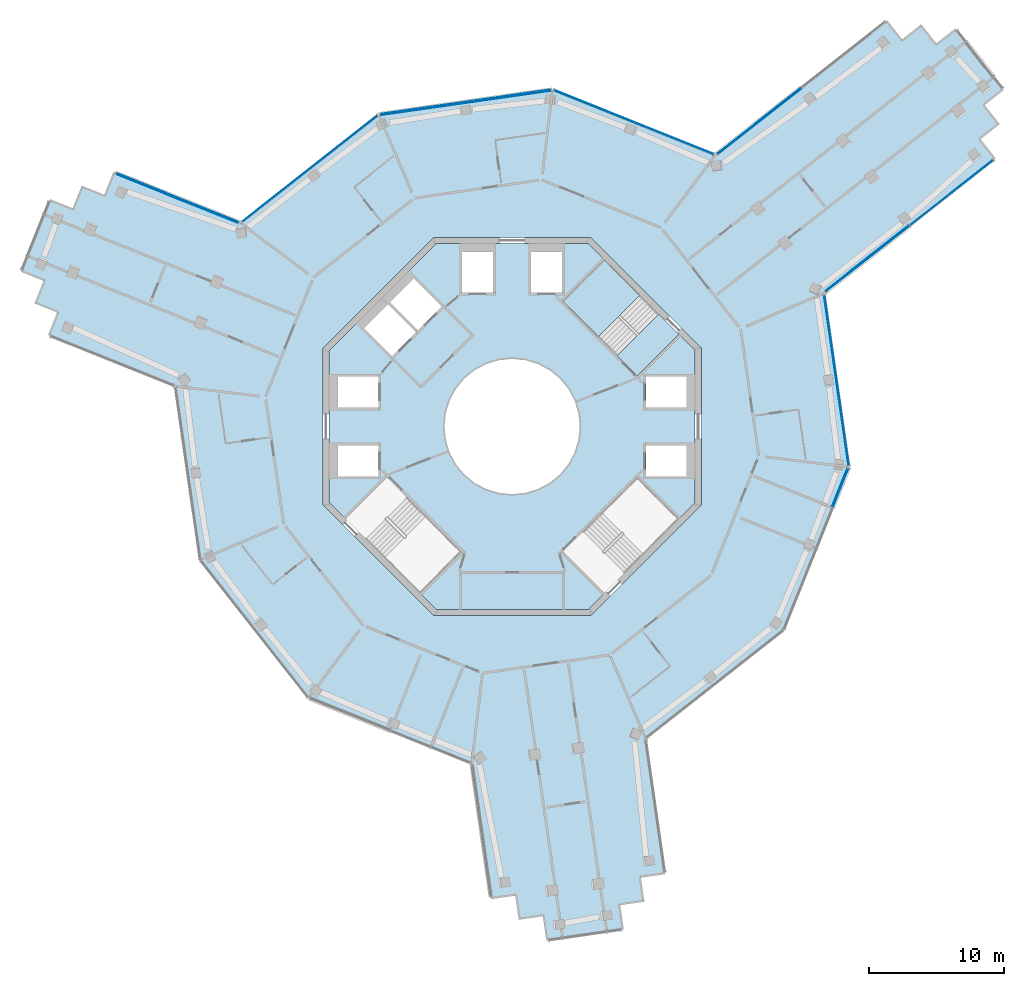
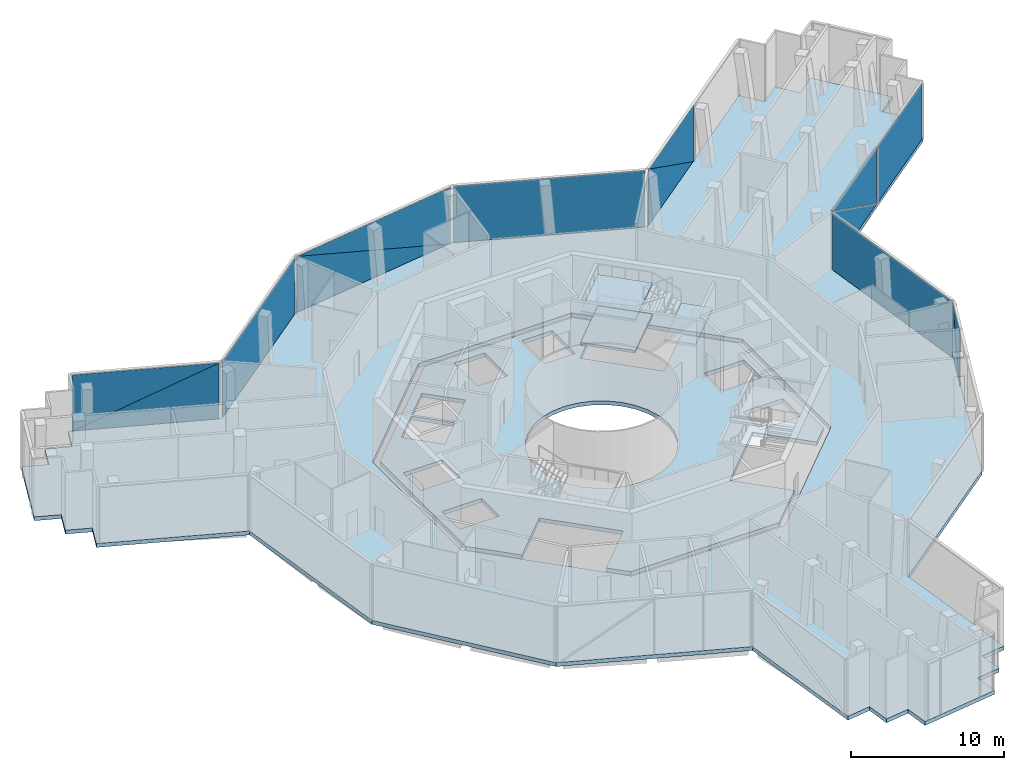
# One storey, part 8 of 19: 14 plates, 5 slabs, 9 elements without a shape of their own.
"""IFC4 building model written with IfcOpenShell, lengths in metres."""

import ifcopenshell
import ifcopenshell.guid

model = None  # the IFC model being written
_history = None  # IfcOwnerHistory: only IFC2X3 demands one
_inside = {}  # id of a spatial element -> (the spatial element, [elements in it])
_under = {}  # id of a project, library or spatial element -> (it, [spatial elements below it])
_declared = {}  # id of a project -> (the project, [libraries it declares])
_typed = {}  # id of a type object -> (the type object, [elements of that type])
_made_of = {}  # id of a material, layer set ... -> (it, [elements and type objects made of it])


def new_model(schema):
    """Start an empty IFC model of exactly this schema.

    Asked for "IFC4X3", IfcOpenShell would pick the latest addendum, in which some entities
    have other attributes; the version numbers below select the first issue.
    IFC2X3 requires an IfcOwnerHistory on every rooted entity: one is made here for all.
    """
    global model, _history
    if schema == "IFC4X3":
        model = ifcopenshell.file(schema_version=(4, 3, 0, 0))
    else:
        model = ifcopenshell.file(schema=schema)
    _inside.clear()
    _under.clear()
    _declared.clear()
    _typed.clear()
    _made_of.clear()
    _history = None
    if model.schema == "IFC2X3":
        org = make("IfcOrganization", Name="unknown")
        user = make(
            "IfcPersonAndOrganization",
            ThePerson=make("IfcPerson", FamilyName="unknown"),
            TheOrganization=org,
        )
        app = make(
            "IfcApplication",
            ApplicationDeveloper=org,
            Version="unknown",
            ApplicationFullName="unknown",
            ApplicationIdentifier="unknown",
        )
        _history = make(
            "IfcOwnerHistory",
            OwningUser=user,
            OwningApplication=app,
            ChangeAction="ADDED",
            CreationDate=0,
        )
    return model


def make(cls, **values):
    """One entity of the class cls with the attributes given. An attribute that is None is left unset."""
    return model.create_entity(
        cls, **{name: value for name, value in values.items() if value is not None}
    )


def rooted(cls, **values):
    """An entity with a GlobalId (a new one), such as an element, a storey or a relation."""
    return make(cls, GlobalId=ifcopenshell.guid.new(), OwnerHistory=_history, **values)


def si_unit(unit_type, name, prefix=None):
    """IfcSIUnit, for example si_unit("LENGTHUNIT", "METRE", prefix="MILLI")."""
    return make("IfcSIUnit", UnitType=unit_type, Prefix=prefix, Name=name)


def assignment(units):
    """IfcUnitAssignment: the units of a project."""
    return None if units is None else make("IfcUnitAssignment", Units=units)


def point(xyz):
    """IfcCartesianPoint."""
    return None if xyz is None else make("IfcCartesianPoint", Coordinates=xyz)


def direction(xyz):
    """IfcDirection."""
    return None if xyz is None else make("IfcDirection", DirectionRatios=xyz)


def frame(location, z_axis=None, x_axis=None):
    """IfcAxis2Placement3D, a coordinate frame: its origin and axes. An axis left out is left unset."""
    return make(
        "IfcAxis2Placement3D",
        Location=point(location),
        Axis=direction(z_axis),
        RefDirection=direction(x_axis),
    )


def frame_2d(location, x_axis=None):
    """IfcAxis2Placement2D, a coordinate frame in the plane: its origin and x axis."""
    return make(
        "IfcAxis2Placement2D", Location=point(location), RefDirection=direction(x_axis)
    )


def origin():
    """The frame at (0, 0, 0) with its axes left unset."""
    return frame((0.0, 0.0, 0.0))


def origin_2d():
    """The frame at (0, 0) in the plane with its x axis left unset."""
    return frame_2d((0.0, 0.0))


def place(relative_to, where):
    """IfcLocalPlacement: puts the frame where relative to a parent placement (None: the world)."""
    return make(
        "IfcLocalPlacement", PlacementRelTo=relative_to, RelativePlacement=where
    )


def context(
    kind, dimensions, precision=None, world=None, true_north=None, identifier=None
):
    """IfcGeometricRepresentationContext, for example the 3D "Model" context."""
    return make(
        "IfcGeometricRepresentationContext",
        ContextIdentifier=identifier,
        ContextType=kind,
        CoordinateSpaceDimension=dimensions,
        Precision=precision,
        WorldCoordinateSystem=world,
        TrueNorth=true_north,
    )


def subcontext(parent, identifier, kind, view, scale=None):
    """IfcGeometricRepresentationSubContext, for example "Body" below "Model"."""
    return make(
        "IfcGeometricRepresentationSubContext",
        ContextIdentifier=identifier,
        ContextType=kind,
        ParentContext=parent,
        TargetScale=scale,
        TargetView=view,
    )


def project(units=None, contexts=None):
    """IfcProject with its units and contexts."""
    return rooted(
        "IfcProject",
        Name="project",
        RepresentationContexts=contexts,
        UnitsInContext=assignment(units),
    )


def spatial(cls, under=None, at=None, **own):
    """A site, building, storey or space (cls), placed at a placement, below another one or the project."""
    s = rooted(cls, ObjectPlacement=at, **own)
    if under is not None:
        _under.setdefault(under.id(), (under, []))[1].append(s)
    return s


def polyline(points):
    """IfcPolyline through the points."""
    return make("IfcPolyline", Points=[point(p) for p in points])


def profile(cls, at=None, kind="AREA", **sizes):
    """A parametric profile (cls). Its sizes go by their IFC names, for example OverallWidth=200.0."""
    return make(cls, ProfileType=kind, Position=at, **sizes)


def rectangle(**sizes):
    """IfcRectangleProfileDef."""
    return profile("IfcRectangleProfileDef", **sizes)


def outline(outer, holes=None, kind="AREA"):
    """IfcArbitraryClosedProfileDef: a profile drawn as a closed curve; with holes, ...WithVoids."""
    if holes is None:
        return make("IfcArbitraryClosedProfileDef", ProfileType=kind, OuterCurve=outer)
    return make(
        "IfcArbitraryProfileDefWithVoids",
        ProfileType=kind,
        OuterCurve=outer,
        InnerCurves=holes,
    )


def extrude(swept, where, along, depth):
    """IfcExtrudedAreaSolid: the profile swept, set in the frame where, extruded along a direction by depth."""
    return make(
        "IfcExtrudedAreaSolid",
        SweptArea=swept,
        Position=where,
        ExtrudedDirection=direction(along),
        Depth=depth,
    )


def shape(context_of_items, identifier, shape_type, items):
    """IfcShapeRepresentation: the items that make up one representation, for example the "Body"."""
    return make(
        "IfcShapeRepresentation",
        ContextOfItems=context_of_items,
        RepresentationIdentifier=identifier,
        RepresentationType=shape_type,
        Items=items,
    )


def material(Name=None, Category=None):
    """IfcMaterial."""
    return make("IfcMaterial", Name=Name, Category=Category)


def layer(
    of_material, thickness, ventilated=None, Name=None, Category=None, Priority=None
):
    """IfcMaterialLayer: one layer of a wall or slab, of a material (None: an air gap)."""
    return make(
        "IfcMaterialLayer",
        Material=of_material,
        LayerThickness=thickness,
        IsVentilated=ventilated,
        Name=Name,
        Category=Category,
        Priority=Priority,
    )


def layer_set(layers, Name=None):
    """IfcMaterialLayerSet."""
    return make("IfcMaterialLayerSet", MaterialLayers=layers, LayerSetName=Name)


def made_of(thing, what):
    """Note that an element or type object is made of a material, layer set ...; save() writes the relation."""
    if what is not None:
        _made_of.setdefault(what.id(), (what, []))[1].append(thing)
    return thing


def type_object(cls, material=None, **own):
    """A type object (cls), such as IfcWallType, which elements share."""
    return made_of(rooted(cls, **own), material)


def element(
    cls,
    number,
    at=None,
    inside=None,
    cuts=None,
    type_object=None,
    material=None,
    context=None,
    identifier="Body",
    shape_type=None,
    held_by="IfcProductDefinitionShape",
    body=None,
    shapes=None,
    **own,
):
    """One element of the class cls, such as IfcWall. Its Tag is "e" and its number.

    at: its placement. inside: the storey or other place that contains it. cuts: it is an
    opening in that element (IfcRelVoidsElement). A single representation is given by context,
    identifier, shape_type and body (its items); several are given by shapes. held_by: the class
    of the entity that holds the representations. save() writes the other relations.
    """
    e = rooted(cls, Tag="e%d" % number, ObjectPlacement=at, **own)
    if body is not None:
        shapes = [shape(context, identifier, shape_type, body)]
    if shapes is not None:
        e.Representation = make(held_by, Representations=shapes)
    if inside is not None:
        _inside.setdefault(inside.id(), (inside, []))[1].append(e)
    if cuts is not None:
        rooted(
            "IfcRelVoidsElement", RelatingBuildingElement=cuts, RelatedOpeningElement=e
        )
    if type_object is not None:
        _typed.setdefault(type_object.id(), (type_object, []))[1].append(e)
    return made_of(e, material)


def aggregate(whole, parts):
    """IfcRelAggregates: a whole, such as a stair, and the parts it consists of."""
    return rooted("IfcRelAggregates", RelatingObject=whole, RelatedObjects=parts)


def save(model, path):
    """Write the relations noted so far, then the file.

    IfcRelAggregates (storeys below a building ...), IfcRelContainedInSpatialStructure (elements
    in a storey), IfcRelDefinesByType, IfcRelAssociatesMaterial and IfcRelDeclares: one each for
    every whole, place, type object, material and project.
    """
    for whole, parts in _under.values():
        aggregate(whole, parts)
    for where, things in _inside.values():
        rooted(
            "IfcRelContainedInSpatialStructure",
            RelatedElements=things,
            RelatingStructure=where,
        )
    for kind, things in _typed.values():
        rooted("IfcRelDefinesByType", RelatedObjects=things, RelatingType=kind)
    for what, things in _made_of.values():
        rooted("IfcRelAssociatesMaterial", RelatedObjects=things, RelatingMaterial=what)
    for by, libraries in _declared.values():
        rooted("IfcRelDeclares", RelatingContext=by, RelatedDefinitions=libraries)
    model.write(path)


model = new_model("IFC4")

# Units and contexts
model_context = context("Model", 3, precision=1e-05, world=origin(), true_north=direction((0.0, 1.0)))
body_context = subcontext(model_context, "Body", "Model", "MODEL_VIEW")
ifc_project = project(units=[si_unit("LENGTHUNIT", "METRE"), si_unit("AREAUNIT", "SQUARE_METRE"), si_unit("VOLUMEUNIT", "CUBIC_METRE"), si_unit("PLANEANGLEUNIT", "RADIAN"), si_unit("MASSUNIT", "GRAM", prefix="KILO")], contexts=[model_context])

# Site, building, storey
site_placement = place(None, origin())
site = spatial("IfcSite", under=ifc_project, at=site_placement, CompositionType="ELEMENT")
building_placement = place(site_placement, origin())
building = spatial("IfcBuilding", under=site, at=building_placement, Name="Verdalira Terraces Hotel", CompositionType="ELEMENT")
storey_placement = place(building_placement, frame((0.0, 0.0, 310.0)))
storey = spatial("IfcBuildingStorey", under=building, at=storey_placement, Name="L77", CompositionType="ELEMENT", Elevation=310.0)

# Curtain wall, plates
ifc_material_1 = material(Name="Clear glass", Category="glass")
ifc_layer_1 = layer(ifc_material_1, 0.280029296875)
ifc_layer_set_1 = layer_set([ifc_layer_1], Name="CW6 curtain wall")
curtain_wall_type = type_object("IfcCurtainWallType", Name="CW6 curtain wall", PredefinedType="NOTDEFINED", material=ifc_layer_set_1)
curtain_wall_1_placement = place(storey_placement, origin())
curtain_wall_1 = element("IfcCurtainWall", 1, at=curtain_wall_1_placement, inside=storey, type_object=curtain_wall_type, Name="CW6 curtain wall L77 edge 0", PredefinedType="NOTDEFINED")
ifc_material_2 = material(Name="Clear glass", Category="glass")
ifc_layer_2 = layer(ifc_material_2, 0.050048828125)
ifc_layer_set_2 = layer_set([ifc_layer_2], Name="CW6 glass unit 50")
plate_type = type_object("IfcPlateType", Name="CW6 glass unit 50", PredefinedType="CURTAIN_PANEL", material=ifc_layer_set_2)
plate_1_placement = place(storey_placement, frame((-24.78418, 16.897949, 2.254883), z_axis=(0.37201595, 0.928226337, 0.0), x_axis=(-0.928226337, 0.37201595, 0.0)))
plate_1 = element("IfcPlate", 2, at=plate_1_placement, type_object=plate_type, Name="CW6 glass unit", PredefinedType="CURTAIN_PANEL", context=body_context, shape_type="SweptSolid", body=[
    extrude(outline(polyline([(-4.878418, -2.254883), (4.878418, -2.254883), (-4.878418, 2.254883), (-4.878418, -2.254883)])), origin(), (0.0, 0.0, 1.0), 0.050049),
])
plate_2_placement = place(storey_placement, frame((-24.803223, 16.850586, 2.254883), z_axis=(0.37201595, 0.928226337, 0.0), x_axis=(-0.928226337, 0.37201595, 0.0)))
plate_2 = element("IfcPlate", 3, at=plate_2_placement, type_object=plate_type, Name="CW6 glass unit", PredefinedType="CURTAIN_PANEL", context=body_context, shape_type="SweptSolid", body=[
    extrude(outline(polyline([(4.878418, -2.254883), (4.878418, 2.254883), (-4.878418, 2.254883), (4.878418, -2.254883)])), origin(), (0.0, 0.0, 1.0), 0.050049),
])
aggregate(curtain_wall_1, [plate_1, plate_2])

curtain_wall_2_placement = place(storey_placement, origin())
curtain_wall_2 = element("IfcCurtainWall", 4, at=curtain_wall_2_placement, inside=storey, type_object=curtain_wall_type, Name="CW6 curtain wall L77 edge 26", PredefinedType="NOTDEFINED")
plate_3_placement = place(storey_placement, frame((24.283447, -4.523682, 2.254883), z_axis=(0.928226337, -0.37201595, 0.0), x_axis=(0.37201595, 0.928226337, 0.0)))
plate_3 = element("IfcPlate", 5, at=plate_3_placement, type_object=plate_type, Name="CW6 glass unit", PredefinedType="CURTAIN_PANEL", context=body_context, shape_type="SweptSolid", body=[
    extrude(outline(polyline([(-1.544922, -2.254883), (1.544922, -2.254883), (1.544922, 2.254883), (-1.544922, -2.254883)])), origin(), (0.0, 0.0, 1.0), 0.050049),
])
plate_4_placement = place(storey_placement, frame((24.236084, -4.504639, 2.254883), z_axis=(0.928226337, -0.37201595, 0.0), x_axis=(0.37201595, 0.928226337, 0.0)))
plate_4 = element("IfcPlate", 6, at=plate_4_placement, type_object=plate_type, Name="CW6 glass unit", PredefinedType="CURTAIN_PANEL", context=body_context, shape_type="SweptSolid", body=[
    extrude(outline(polyline([(-1.544922, -2.254883), (1.544922, 2.254883), (-1.544922, 2.254883), (-1.544922, -2.254883)])), origin(), (0.0, 0.0, 1.0), 0.050049),
])
aggregate(curtain_wall_2, [plate_3, plate_4])

# Curtain wall, plate
curtain_wall_3_placement = place(storey_placement, origin())
curtain_wall_3 = element("IfcCurtainWall", 7, at=curtain_wall_3_placement, inside=storey, type_object=curtain_wall_type, Name="CW6 curtain wall L77 edge 27", PredefinedType="NOTDEFINED")
plate_5_placement = place(storey_placement, frame((24.005371, 3.424561, 0.0), z_axis=(0.0, 0.0, 1.0), x_axis=(-0.141937905, 0.989875563, 0.0)))
plate_5 = element("IfcPlate", 8, at=plate_5_placement, type_object=plate_type, Name="CW6 glass unit", PredefinedType="CURTAIN_PANEL", context=body_context, shape_type="SweptSolid", body=[
    extrude(rectangle(XDim=12.724854, YDim=0.050049, at=origin_2d()), origin(), (0.0, 0.0, 1.0), 4.51001),
])
aggregate(curtain_wall_3, [plate_5])

# Curtain wall, plates
curtain_wall_4_placement = place(storey_placement, origin())
curtain_wall_4 = element("IfcCurtainWall", 9, at=curtain_wall_4_placement, inside=storey, type_object=curtain_wall_type, Name="CW6 curtain wall L77 edge 28", PredefinedType="NOTDEFINED")
plate_6_placement = place(storey_placement, frame((26.286865, 12.433838, 2.254883), z_axis=(0.617859613, -0.786288432, 0.0), x_axis=(0.786288432, 0.617859613, 0.0)))
plate_6 = element("IfcPlate", 10, at=plate_6_placement, type_object=plate_type, Name="CW6 glass unit", PredefinedType="CURTAIN_PANEL", context=body_context, shape_type="SweptSolid", body=[
    extrude(outline(polyline([(-3.937988, -2.254883), (3.937988, -2.254883), (-3.937988, 2.254883), (-3.937988, -2.254883)])), origin(), (0.0, 0.0, 1.0), 0.050049),
])
plate_7_placement = place(storey_placement, frame((26.255371, 12.473877, 2.254883), z_axis=(0.617859613, -0.786288432, 0.0), x_axis=(0.786288432, 0.617859613, 0.0)))
plate_7 = element("IfcPlate", 11, at=plate_7_placement, type_object=plate_type, Name="CW6 glass unit", PredefinedType="CURTAIN_PANEL", context=body_context, shape_type="SweptSolid", body=[
    extrude(outline(polyline([(3.937988, -2.254883), (3.937988, 2.254883), (-3.937988, 2.254883), (3.937988, -2.254883)])), origin(), (0.0, 0.0, 1.0), 0.050049),
])
plate_8_placement = place(storey_placement, frame((32.52832, 17.306396, 0.0), z_axis=(0.0, 0.0, 1.0), x_axis=(0.786288432, 0.617859613, 0.0)))
plate_8 = element("IfcPlate", 12, at=plate_8_placement, type_object=plate_type, Name="CW6 glass unit", PredefinedType="CURTAIN_PANEL", context=body_context, shape_type="SweptSolid", body=[
    extrude(rectangle(XDim=7.800781, YDim=0.050049, at=origin_2d()), origin(), (0.0, 0.0, 1.0), 4.51001),
])
aggregate(curtain_wall_4, [plate_6, plate_7, plate_8])

curtain_wall_5_placement = place(storey_placement, origin())
curtain_wall_5 = element("IfcCurtainWall", 13, at=curtain_wall_5_placement, inside=storey, type_object=curtain_wall_type, Name="CW6 curtain wall L77 edge 38", PredefinedType="NOTDEFINED")
plate_9_placement = place(storey_placement, frame((18.297852, 22.600342, 2.254883), z_axis=(-0.617859613, 0.786288432, 0.0), x_axis=(-0.786288432, -0.617859613, 0.0)))
plate_9 = element("IfcPlate", 14, at=plate_9_placement, type_object=plate_type, Name="CW6 glass unit", PredefinedType="CURTAIN_PANEL", context=body_context, shape_type="SweptSolid", body=[
    extrude(outline(polyline([(-3.937988, -2.254883), (3.937988, -2.254883), (3.937988, 2.254883), (-3.937988, -2.254883)])), origin(), (0.0, 0.0, 1.0), 0.050049),
])
plate_10_placement = place(storey_placement, frame((18.329346, 22.560303, 2.254883), z_axis=(-0.617859613, 0.786288432, 0.0), x_axis=(-0.786288432, -0.617859613, 0.0)))
plate_10 = element("IfcPlate", 15, at=plate_10_placement, type_object=plate_type, Name="CW6 glass unit", PredefinedType="CURTAIN_PANEL", context=body_context, shape_type="SweptSolid", body=[
    extrude(outline(polyline([(-3.937988, -2.254883), (3.937988, 2.254883), (-3.937988, 2.254883), (-3.937988, -2.254883)])), origin(), (0.0, 0.0, 1.0), 0.050049),
])
aggregate(curtain_wall_5, [plate_9, plate_10])

# Curtain wall, plate
curtain_wall_6_placement = place(storey_placement, origin())
curtain_wall_6 = element("IfcCurtainWall", 16, at=curtain_wall_6_placement, inside=storey, type_object=curtain_wall_type, Name="CW6 curtain wall L77 edge 39", PredefinedType="NOTDEFINED")
plate_11_placement = place(storey_placement, frame((9.004639, 22.514404, 0.0), z_axis=(0.0, 0.0, 1.0), x_axis=(-0.928226337, 0.37201595, 0.0)))
plate_11 = element("IfcPlate", 17, at=plate_11_placement, type_object=plate_type, Name="CW6 glass unit", PredefinedType="CURTAIN_PANEL", context=body_context, shape_type="SweptSolid", body=[
    extrude(rectangle(XDim=12.724854, YDim=0.050049, at=origin_2d()), origin(), (0.0, 0.0, 1.0), 4.51001),
])
aggregate(curtain_wall_6, [plate_11])

# Curtain wall, plates
curtain_wall_7_placement = place(storey_placement, origin())
curtain_wall_7 = element("IfcCurtainWall", 18, at=curtain_wall_7_placement, inside=storey, type_object=curtain_wall_type, Name="CW6 curtain wall L77 edge 40", PredefinedType="NOTDEFINED")
plate_12_placement = place(storey_placement, frame((-3.437988, 23.978271, 2.254883), z_axis=(-0.141937905, 0.989875563, 0.0), x_axis=(-0.989875563, -0.141937905, 0.0)))
plate_12 = element("IfcPlate", 19, at=plate_12_placement, type_object=plate_type, Name="CW6 glass unit", PredefinedType="CURTAIN_PANEL", context=body_context, shape_type="SweptSolid", body=[
    extrude(outline(polyline([(-6.379883, -2.254883), (6.379883, -2.254883), (6.379883, 2.254883), (-6.379883, -2.254883)])), origin(), (0.0, 0.0, 1.0), 0.050049),
])
plate_13_placement = place(storey_placement, frame((-3.430908, 23.927734, 2.254883), z_axis=(-0.141937905, 0.989875563, 0.0), x_axis=(-0.989875563, -0.141937905, 0.0)))
plate_13 = element("IfcPlate", 20, at=plate_13_placement, type_object=plate_type, Name="CW6 glass unit", PredefinedType="CURTAIN_PANEL", context=body_context, shape_type="SweptSolid", body=[
    extrude(outline(polyline([(-6.379883, -2.254883), (6.379883, 2.254883), (-6.379883, 2.254883), (-6.379883, -2.254883)])), origin(), (0.0, 0.0, 1.0), 0.050049),
])
aggregate(curtain_wall_7, [plate_12, plate_13])

# Curtain wall, plate
curtain_wall_8_placement = place(storey_placement, origin())
curtain_wall_8 = element("IfcCurtainWall", 21, at=curtain_wall_8_placement, inside=storey, type_object=curtain_wall_type, Name="CW6 curtain wall L77 edge 41", PredefinedType="NOTDEFINED")
plate_14_placement = place(storey_placement, frame((-14.968262, 19.076904, 0.0), z_axis=(0.0, 0.0, 1.0), x_axis=(-0.786288432, -0.617859613, 0.0)))
plate_14 = element("IfcPlate", 22, at=plate_14_placement, type_object=plate_type, Name="CW6 glass unit", PredefinedType="CURTAIN_PANEL", context=body_context, shape_type="SweptSolid", body=[
    extrude(rectangle(XDim=12.724854, YDim=0.050049, at=origin_2d()), origin(), (0.0, 0.0, 1.0), 4.51001),
])
aggregate(curtain_wall_8, [plate_14])

# Slab
ifc_material_3 = material(Name="Concrete C40", Category="concrete")
ifc_layer_3 = layer(ifc_material_3, 0.31005859375)
ifc_layer_set_3 = layer_set([ifc_layer_3], Name="Core floor slab 310 mm")
slab_type_1 = type_object("IfcSlabType", Name="Core floor slab 310 mm", PredefinedType="FLOOR", material=ifc_layer_set_3)
slab_1_placement = place(storey_placement, frame((0.0, 0.0, -0.310059)))
element("IfcSlab", 23, at=slab_1_placement, inside=storey, type_object=slab_type_1, Name="L77 core floor", PredefinedType="FLOOR", context=body_context, shape_type="SweptSolid", body=[
    extrude(outline(polyline([(-6.809326, -12.353271), (-3.719482, -9.263184), (-7.746094, -5.236572), (-10.836182, -8.326416), (-13.550049, -5.612549), (-13.550049, 5.612549), (-5.612549, 13.550049), (5.612549, 13.550049), (6.809326, 12.353271), (3.719482, 9.263184), (7.746094, 5.236572), (10.836182, 8.326416), (13.550049, 5.612549), (13.550049, -5.612549), (12.353271, -6.809326), (9.263184, -3.719482), (5.236572, -7.746094), (8.326416, -10.836182), (5.612549, -13.550049), (-5.612549, -13.550049), (-6.809326, -12.353271)]), holes=[polyline([(9.899902, -1.399902), (9.899902, -3.699951), (12.899902, -3.699951), (12.899902, -1.399902), (9.899902, -1.399902)]), polyline([(9.899902, 3.699951), (9.899902, 1.399902), (12.899902, 1.399902), (12.899902, 3.699951), (9.899902, 3.699951)]), polyline([(3.699951, 12.899902), (1.399902, 12.899902), (1.399902, 9.899902), (3.699951, 9.899902), (3.699951, 12.899902)]), polyline([(-1.399902, 12.899902), (-3.699951, 12.899902), (-3.699951, 9.899902), (-1.399902, 9.899902), (-1.399902, 12.899902)]), polyline([(-9.899902, 1.399902), (-9.899902, 3.699951), (-12.899902, 3.699951), (-12.899902, 1.399902), (-9.899902, 1.399902)]), polyline([(-9.899902, -3.699951), (-9.899902, -1.399902), (-12.899902, -1.399902), (-12.899902, -3.699951), (-9.899902, -3.699951)]), polyline([(-9.051025, 9.192383), (-6.965088, 7.106445), (-5.197266, 8.874268), (-7.283203, 10.960205), (-9.051025, 9.192383)]), polyline([(-9.192383, 9.051025), (-10.960205, 7.283203), (-8.874268, 5.197266), (-7.106445, 6.965088), (-9.192383, 9.051025)]), polyline([(3.5354, 3.5354), (2.777832, 4.157227), (1.91333, 4.619385), (0.975586, 4.903809), (0.0, 5.0), (-0.975586, 4.903809), (-1.91333, 4.619385), (-2.777832, 4.157227), (-3.5354, 3.5354), (-4.157227, 2.777832), (-4.619385, 1.91333), (-4.903809, 0.975586), (-5.0, 0.0), (-4.903809, -0.975586), (-4.619385, -1.91333), (-4.157227, -2.777832), (-3.5354, -3.5354), (-2.777832, -4.157227), (-1.91333, -4.619385), (-0.975586, -4.903809), (0.0, -5.0), (0.975586, -4.903809), (1.91333, -4.619385), (2.777832, -4.157227), (3.5354, -3.5354), (4.157227, -2.777832), (4.619385, -1.91333), (4.903809, -0.975586), (5.0, 0.0), (4.903809, 0.975586), (4.619385, 1.91333), (4.157227, 2.777832), (3.5354, 3.5354)])]), origin(), (0.0, 0.0, 1.0), 0.310059),
])

# Stair, slabs
ifc_material_4 = material(Name="Concrete C40", Category="concrete")
stair_type = type_object("IfcStairType", Name="Core stair 32 risers 2125 mm wide", PredefinedType="HALF_TURN_STAIR", material=ifc_material_4)
stair_placement = place(storey_placement, origin())
stair = element("IfcStair", 24, at=stair_placement, inside=storey, type_object=stair_type, Name="L77 Exit stair ST1", PredefinedType="HALF_TURN_STAIR")
ifc_material_5 = material(Name="Concrete C40", Category="concrete")
ifc_layer_4 = layer(ifc_material_5, 0.199951171875)
ifc_layer_set_4 = layer_set([ifc_layer_4], Name="Core stair landing 200 mm")
slab_type_2 = type_object("IfcSlabType", Name="Core stair landing 200 mm", PredefinedType="LANDING", material=ifc_layer_set_4)
slab_2_placement = place(storey_placement, frame((0.0, 0.0, 1.050049)))
slab_2 = element("IfcSlab", 25, at=slab_2_placement, type_object=slab_type_2, Name="ST1 landing 1", PredefinedType="LANDING", context=body_context, shape_type="SweptSolid", body=[
    extrude(outline(polyline([(9.450928, 9.71167), (6.823486, 12.339111), (3.747559, 9.263184), (6.375, 6.635742), (9.450928, 9.71167)])), origin(), (0.0, 0.0, 1.0), 0.199951),
])
slab_3_placement = place(storey_placement, frame((0.0, 0.0, 2.300049)))
slab_3 = element("IfcSlab", 26, at=slab_3_placement, type_object=slab_type_2, Name="ST1 landing 2", PredefinedType="LANDING", context=body_context, shape_type="SweptSolid", body=[
    extrude(outline(polyline([(12.339111, 6.823486), (10.835938, 8.326416), (7.760254, 5.250732), (9.263184, 3.747559), (12.339111, 6.823486)])), origin(), (0.0, 0.0, 1.0), 0.199951),
])
slab_4_placement = place(storey_placement, frame((0.0, 0.0, 3.550049)))
slab_4 = element("IfcSlab", 27, at=slab_4_placement, type_object=slab_type_2, Name="ST1 landing 3", PredefinedType="LANDING", context=body_context, shape_type="SweptSolid", body=[
    extrude(outline(polyline([(9.450928, 9.71167), (6.823486, 12.339111), (3.747559, 9.263184), (6.375, 6.635742), (9.450928, 9.71167)])), origin(), (0.0, 0.0, 1.0), 0.199951),
])
aggregate(stair, [slab_2, slab_3, slab_4])

# Slab
ifc_material_6 = material(Name="Concrete C40", Category="concrete")
ifc_layer_5 = layer(ifc_material_6, 0.31005859375)
ifc_layer_set_5 = layer_set([ifc_layer_5], Name="Floor slab 310 C40")
slab_type_3 = type_object("IfcSlabType", Name="Floor slab 310 C40", PredefinedType="FLOOR", material=ifc_layer_set_5)
slab_5_placement = place(storey_placement, frame((0.0, 0.0, -0.310059)))
element("IfcSlab", 28, at=slab_5_placement, inside=storey, type_object=slab_type_3, Name="Floor slab L77", PredefinedType="FLOOR", context=body_context, shape_type="SweptSolid", body=[
    extrude(outline(polyline([(-9.877441, 23.090088), (-20.099121, 15.058105), (-29.512939, 18.830811), (-30.182617, 17.159912), (-31.853271, 17.82959), (-32.522949, 16.158691), (-34.193848, 16.828613), (-36.351318, 11.44458), (-34.680664, 10.775146), (-35.350342, 9.104248), (-33.679443, 8.434814), (-34.349121, 6.763916), (-24.935303, 2.990967), (-23.090088, -9.877441), (-15.058105, -20.099121), (-2.990967, -24.935303), (-1.551514, -34.974365), (0.230225, -34.71875), (0.485596, -36.500488), (2.267578, -36.245117), (2.522949, -38.026855), (8.264404, -37.203613), (8.008789, -35.421875), (9.790527, -35.166504), (9.535156, -33.384521), (11.316895, -33.12915), (9.877441, -23.090088), (20.099121, -15.058105), (24.935303, -2.990967), (23.090088, 9.877441), (35.781982, 19.850586), (34.669922, 21.266113), (36.085205, 22.378174), (34.973145, 23.793457), (36.388428, 24.905518), (32.804932, 29.466064), (31.389648, 28.354004), (30.277344, 29.769287), (28.862061, 28.656982), (27.75, 30.07251), (15.058105, 20.099121), (2.990967, 24.935303), (-9.877441, 23.090088)]), holes=[polyline([(5.799072, 14.0), (14.0, 5.799072), (14.0, -5.799072), (5.799072, -14.0), (-5.799072, -14.0), (-14.0, -5.799072), (-14.0, 5.799072), (-5.799072, 14.0), (5.799072, 14.0)])]), origin(), (0.0, 0.0, 1.0), 0.310059),
])

save(model, "model.ifc")
